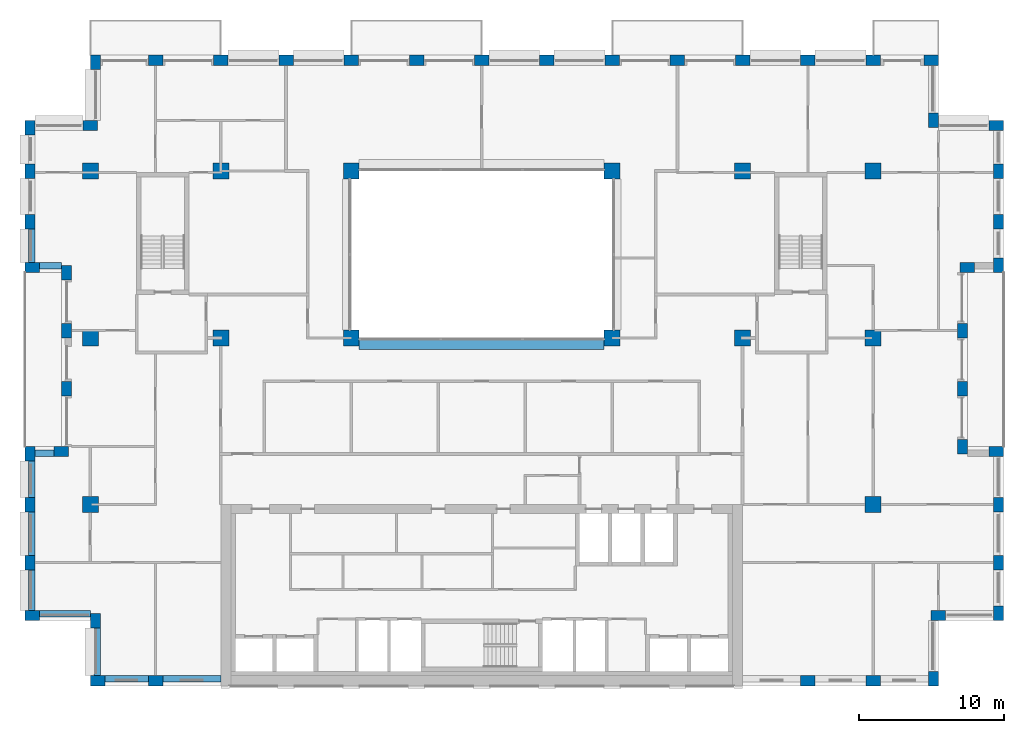
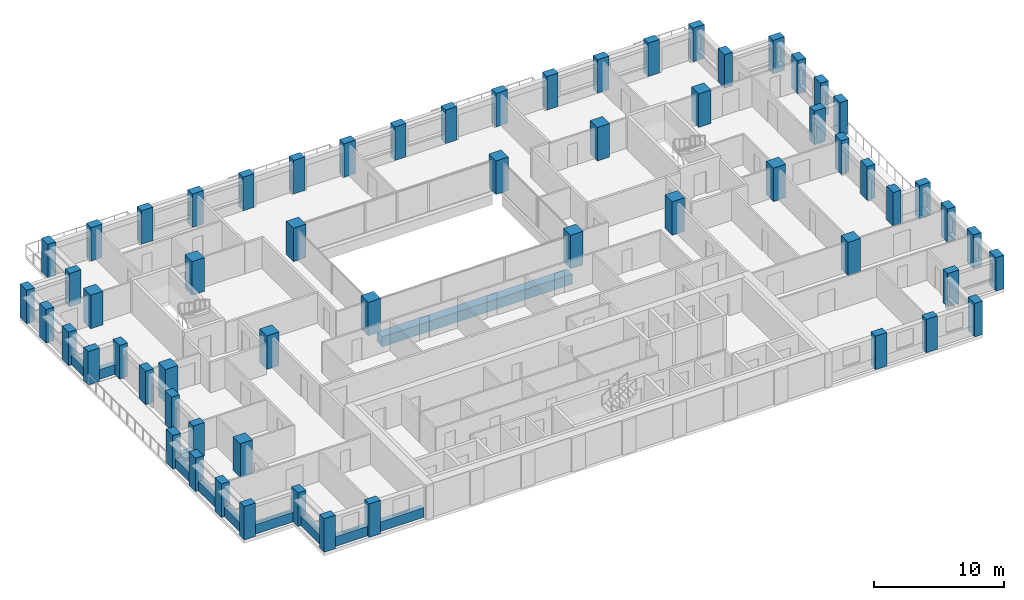
# One storey, part 1 of 16: 61 columns, 11 beams.
"""IFC4 building model written with IfcOpenShell, lengths in metres."""

import ifcopenshell
import ifcopenshell.guid

model = None  # the IFC model being written
_history = None  # IfcOwnerHistory: only IFC2X3 demands one
_inside = {}  # id of a spatial element -> (the spatial element, [elements in it])
_under = {}  # id of a project, library or spatial element -> (it, [spatial elements below it])
_declared = {}  # id of a project -> (the project, [libraries it declares])
_typed = {}  # id of a type object -> (the type object, [elements of that type])
_made_of = {}  # id of a material, layer set ... -> (it, [elements and type objects made of it])


def new_model(schema):
    """Start an empty IFC model of exactly this schema.

    Asked for "IFC4X3", IfcOpenShell would pick the latest addendum, in which some entities
    have other attributes; the version numbers below select the first issue.
    IFC2X3 requires an IfcOwnerHistory on every rooted entity: one is made here for all.
    """
    global model, _history
    if schema == "IFC4X3":
        model = ifcopenshell.file(schema_version=(4, 3, 0, 0))
    else:
        model = ifcopenshell.file(schema=schema)
    _inside.clear()
    _under.clear()
    _declared.clear()
    _typed.clear()
    _made_of.clear()
    _history = None
    if model.schema == "IFC2X3":
        org = make("IfcOrganization", Name="unknown")
        user = make(
            "IfcPersonAndOrganization",
            ThePerson=make("IfcPerson", FamilyName="unknown"),
            TheOrganization=org,
        )
        app = make(
            "IfcApplication",
            ApplicationDeveloper=org,
            Version="unknown",
            ApplicationFullName="unknown",
            ApplicationIdentifier="unknown",
        )
        _history = make(
            "IfcOwnerHistory",
            OwningUser=user,
            OwningApplication=app,
            ChangeAction="ADDED",
            CreationDate=0,
        )
    return model


def make(cls, **values):
    """One entity of the class cls with the attributes given. An attribute that is None is left unset."""
    return model.create_entity(
        cls, **{name: value for name, value in values.items() if value is not None}
    )


def rooted(cls, **values):
    """An entity with a GlobalId (a new one), such as an element, a storey or a relation."""
    return make(cls, GlobalId=ifcopenshell.guid.new(), OwnerHistory=_history, **values)


def si_unit(unit_type, name, prefix=None):
    """IfcSIUnit, for example si_unit("LENGTHUNIT", "METRE", prefix="MILLI")."""
    return make("IfcSIUnit", UnitType=unit_type, Prefix=prefix, Name=name)


def assignment(units):
    """IfcUnitAssignment: the units of a project."""
    return None if units is None else make("IfcUnitAssignment", Units=units)


def point(xyz):
    """IfcCartesianPoint."""
    return None if xyz is None else make("IfcCartesianPoint", Coordinates=xyz)


def direction(xyz):
    """IfcDirection."""
    return None if xyz is None else make("IfcDirection", DirectionRatios=xyz)


def frame(location, z_axis=None, x_axis=None):
    """IfcAxis2Placement3D, a coordinate frame: its origin and axes. An axis left out is left unset."""
    return make(
        "IfcAxis2Placement3D",
        Location=point(location),
        Axis=direction(z_axis),
        RefDirection=direction(x_axis),
    )


def frame_2d(location, x_axis=None):
    """IfcAxis2Placement2D, a coordinate frame in the plane: its origin and x axis."""
    return make(
        "IfcAxis2Placement2D", Location=point(location), RefDirection=direction(x_axis)
    )


def origin():
    """The frame at (0, 0, 0) with its axes left unset."""
    return frame((0.0, 0.0, 0.0))


def origin_2d():
    """The frame at (0, 0) in the plane with its x axis left unset."""
    return frame_2d((0.0, 0.0))


def place(relative_to, where):
    """IfcLocalPlacement: puts the frame where relative to a parent placement (None: the world)."""
    return make(
        "IfcLocalPlacement", PlacementRelTo=relative_to, RelativePlacement=where
    )


def context(
    kind, dimensions, precision=None, world=None, true_north=None, identifier=None
):
    """IfcGeometricRepresentationContext, for example the 3D "Model" context."""
    return make(
        "IfcGeometricRepresentationContext",
        ContextIdentifier=identifier,
        ContextType=kind,
        CoordinateSpaceDimension=dimensions,
        Precision=precision,
        WorldCoordinateSystem=world,
        TrueNorth=true_north,
    )


def subcontext(parent, identifier, kind, view, scale=None):
    """IfcGeometricRepresentationSubContext, for example "Body" below "Model"."""
    return make(
        "IfcGeometricRepresentationSubContext",
        ContextIdentifier=identifier,
        ContextType=kind,
        ParentContext=parent,
        TargetScale=scale,
        TargetView=view,
    )


def project(units=None, contexts=None):
    """IfcProject with its units and contexts."""
    return rooted(
        "IfcProject",
        Name="project",
        RepresentationContexts=contexts,
        UnitsInContext=assignment(units),
    )


def spatial(cls, under=None, at=None, **own):
    """A site, building, storey or space (cls), placed at a placement, below another one or the project."""
    s = rooted(cls, ObjectPlacement=at, **own)
    if under is not None:
        _under.setdefault(under.id(), (under, []))[1].append(s)
    return s


def profile(cls, at=None, kind="AREA", **sizes):
    """A parametric profile (cls). Its sizes go by their IFC names, for example OverallWidth=200.0."""
    return make(cls, ProfileType=kind, Position=at, **sizes)


def rectangle(**sizes):
    """IfcRectangleProfileDef."""
    return profile("IfcRectangleProfileDef", **sizes)


def extrude(swept, where, along, depth):
    """IfcExtrudedAreaSolid: the profile swept, set in the frame where, extruded along a direction by depth."""
    return make(
        "IfcExtrudedAreaSolid",
        SweptArea=swept,
        Position=where,
        ExtrudedDirection=direction(along),
        Depth=depth,
    )


def shape(context_of_items, identifier, shape_type, items):
    """IfcShapeRepresentation: the items that make up one representation, for example the "Body"."""
    return make(
        "IfcShapeRepresentation",
        ContextOfItems=context_of_items,
        RepresentationIdentifier=identifier,
        RepresentationType=shape_type,
        Items=items,
    )


def material(Name=None, Category=None):
    """IfcMaterial."""
    return make("IfcMaterial", Name=Name, Category=Category)


def material_profile(
    of_material, cross_section, Name=None, Category=None, Priority=None
):
    """IfcMaterialProfile: a cross section and its material."""
    return make(
        "IfcMaterialProfile",
        Name=Name,
        Material=of_material,
        Profile=cross_section,
        Priority=Priority,
        Category=Category,
    )


def profile_set(profiles, Name=None, composite=None):
    """IfcMaterialProfileSet."""
    return make(
        "IfcMaterialProfileSet",
        Name=Name,
        MaterialProfiles=profiles,
        CompositeProfile=composite,
    )


def made_of(thing, what):
    """Note that an element or type object is made of a material, layer set ...; save() writes the relation."""
    if what is not None:
        _made_of.setdefault(what.id(), (what, []))[1].append(thing)
    return thing


def type_object(cls, material=None, **own):
    """A type object (cls), such as IfcWallType, which elements share."""
    return made_of(rooted(cls, **own), material)


def element(
    cls,
    number,
    at=None,
    inside=None,
    cuts=None,
    type_object=None,
    material=None,
    context=None,
    identifier="Body",
    shape_type=None,
    held_by="IfcProductDefinitionShape",
    body=None,
    shapes=None,
    **own,
):
    """One element of the class cls, such as IfcWall. Its Tag is "e" and its number.

    at: its placement. inside: the storey or other place that contains it. cuts: it is an
    opening in that element (IfcRelVoidsElement). A single representation is given by context,
    identifier, shape_type and body (its items); several are given by shapes. held_by: the class
    of the entity that holds the representations. save() writes the other relations.
    """
    e = rooted(cls, Tag="e%d" % number, ObjectPlacement=at, **own)
    if body is not None:
        shapes = [shape(context, identifier, shape_type, body)]
    if shapes is not None:
        e.Representation = make(held_by, Representations=shapes)
    if inside is not None:
        _inside.setdefault(inside.id(), (inside, []))[1].append(e)
    if cuts is not None:
        rooted(
            "IfcRelVoidsElement", RelatingBuildingElement=cuts, RelatedOpeningElement=e
        )
    if type_object is not None:
        _typed.setdefault(type_object.id(), (type_object, []))[1].append(e)
    return made_of(e, material)


def aggregate(whole, parts):
    """IfcRelAggregates: a whole, such as a stair, and the parts it consists of."""
    return rooted("IfcRelAggregates", RelatingObject=whole, RelatedObjects=parts)


def save(model, path):
    """Write the relations noted so far, then the file.

    IfcRelAggregates (storeys below a building ...), IfcRelContainedInSpatialStructure (elements
    in a storey), IfcRelDefinesByType, IfcRelAssociatesMaterial and IfcRelDeclares: one each for
    every whole, place, type object, material and project.
    """
    for whole, parts in _under.values():
        aggregate(whole, parts)
    for where, things in _inside.values():
        rooted(
            "IfcRelContainedInSpatialStructure",
            RelatedElements=things,
            RelatingStructure=where,
        )
    for kind, things in _typed.values():
        rooted("IfcRelDefinesByType", RelatedObjects=things, RelatingType=kind)
    for what, things in _made_of.values():
        rooted("IfcRelAssociatesMaterial", RelatedObjects=things, RelatingMaterial=what)
    for by, libraries in _declared.values():
        rooted("IfcRelDeclares", RelatingContext=by, RelatedDefinitions=libraries)
    model.write(path)


model = new_model("IFC4")

# Units and contexts
model_context = context("Model", 3, precision=1e-05, world=origin(), true_north=direction((0.0, 1.0)))
body_context = subcontext(model_context, "Body", "Model", "MODEL_VIEW")
ifc_project = project(units=[si_unit("LENGTHUNIT", "METRE"), si_unit("AREAUNIT", "SQUARE_METRE"), si_unit("VOLUMEUNIT", "CUBIC_METRE"), si_unit("PLANEANGLEUNIT", "RADIAN"), si_unit("MASSUNIT", "GRAM", prefix="KILO")], contexts=[model_context])

# Site, building, storey
site_placement = place(None, origin())
site = spatial("IfcSite", under=ifc_project, at=site_placement, CompositionType="ELEMENT")
building_placement = place(site_placement, origin())
building = spatial("IfcBuilding", under=site, at=building_placement, Name="Brigalow Station Residences", CompositionType="ELEMENT")
storey_placement = place(building_placement, frame((0.0, 0.0, 160.199951171875)))
storey = spatial("IfcBuildingStorey", under=building, at=storey_placement, Name="L46", CompositionType="ELEMENT", Elevation=160.199951171875)

# Columns
ifc_material_1 = material(Name="Concrete C65", Category="concrete")
ifc_material_profile_1 = material_profile(ifc_material_1, rectangle(XDim=1.10009765625, YDim=1.10009765625, at=origin_2d()), Name="RC1100x1100")
ifc_profile_set_1 = profile_set([ifc_material_profile_1], Name="Concrete C65")
column_type_1 = type_object("IfcColumnType", Name="COLUMN 1100x1100 C65", PredefinedType="COLUMN", material=ifc_profile_set_1)
for number, where, z_axis, x_axis, name in (
    (1, (9.0, 24.0, 0.0), (0.0, 0.0, 1.0), (1.0, 0.0, 0.0), "COLUMN C1 L46"),
    (2, (18.0, 24.0, 0.0), (0.0, 0.0, 1.0), (1.0, 0.0, 0.0), "COLUMN C2 L46"),
    (3, (27.0, 24.0, 0.0), (0.0, 0.0, 1.0), (1.0, 0.0, 0.0), "COLUMN C3 L46"),
    (4, (45.0, 24.0, 0.0), (0.0, 0.0, 1.0), (1.0, 0.0, 0.0), "COLUMN C5 L46"),
    (5, (54.0, 24.0, 0.0), (0.0, 0.0, 1.0), (1.0, 0.0, 0.0), "COLUMN C6 L46"),
    (6, (63.0, 24.0, 0.0), (0.0, 0.0, 1.0), (1.0, 0.0, 0.0), "COLUMN C7 L46"),
    (7, (9.0, 35.5, 0.0), (0.0, 0.0, 1.0), (1.0, 0.0, 0.0), "COLUMN D1 L46"),
    (8, (18.0, 35.5, 0.0), (0.0, 0.0, 1.0), (1.0, 0.0, 0.0), "COLUMN D2 L46"),
    (9, (27.0, 35.5, 0.0), (0.0, 0.0, 1.0), (1.0, 0.0, 0.0), "COLUMN D3 L46"),
    (10, (45.0, 35.5, 0.0), (0.0, 0.0, 1.0), (1.0, 0.0, 0.0), "COLUMN D5 L46"),
    (11, (54.0, 35.5, 0.0), (0.0, 0.0, 1.0), (1.0, 0.0, 0.0), "COLUMN D6 L46"),
    (12, (63.0, 35.5, 0.0), (0.0, 0.0, 1.0), (1.0, 0.0, 0.0), "COLUMN D7 L46"),
    (13, (9.0, 12.5, 0.0), (0.0, 0.0, 1.0), (1.0, 0.0, 0.0), "COLUMN B1 L46"),
    (14, (63.0, 12.5, 0.0), (0.0, 0.0, 1.0), (1.0, 0.0, 0.0), "COLUMN B7 L46"),
):
    element("IfcColumn", number, at=place(storey_placement, frame(where, z_axis=z_axis, x_axis=x_axis)), inside=storey, type_object=column_type_1, Name=name, PredefinedType="COLUMN", context=body_context, shape_type="SweptSolid", body=[
        extrude(rectangle(XDim=1.10009765625, YDim=1.10009765625, at=origin_2d()), origin(), (0.0, 0.0, 1.0), 3.150146484375),
    ])
ifc_material_2 = material(Name="Concrete C65", Category="concrete")
ifc_material_profile_2 = material_profile(ifc_material_2, rectangle(XDim=1.0, YDim=0.699951171875, at=origin_2d()), Name="RC1000x700")
ifc_profile_set_2 = profile_set([ifc_material_profile_2], Name="Concrete C65")
column_type_2 = type_object("IfcColumnType", Name="PIER 1000x700 C65", PredefinedType="USERDEFINED", material=ifc_profile_set_2)
for number, where, z_axis, x_axis, name in (
    (15, (9.5, 0.35009765625, 0.0), (0.0, 0.0, 1.0), (1.0, 0.0, 0.0), "PIER S-1 L46"),
    (16, (13.5, 0.35009765625, 0.0), (0.0, 0.0, 1.0), (1.0, 0.0, 0.0), "PIER S-2 L46"),
    (17, (58.5, 0.35009765625, 0.0), (0.0, 0.0, 1.0), (1.0, 0.0, 0.0), "PIER S-12 L46"),
    (18, (63.0, 0.35009765625, 0.0), (0.0, 0.0, 1.0), (1.0, 0.0, 0.0), "PIER S-13 L46"),
    (19, (67.14990234375, 0.5, 0.0), (0.0, 0.0, 1.0), (0.0, 1.0, 0.0), "PIER SE1-1 L46"),
    (20, (67.5, 4.85009765625, 0.0), (0.0, 0.0, 1.0), (1.0, 0.0, 0.0), "PIER SE2-1 L46"),
    (21, (71.64990234375, 5.0, 0.0), (0.0, 0.0, 1.0), (0.0, 1.0, 0.0), "PIER E1-1 L46"),
    (22, (71.64990234375, 8.5, 0.0), (0.0, 0.0, 1.0), (0.0, 1.0, 0.0), "PIER E1-2 L46"),
    (23, (71.64990234375, 12.5, 0.0), (0.0, 0.0, 1.0), (0.0, 1.0, 0.0), "PIER E1-3 L46"),
    (24, (71.5, 16.14990234375, 0.0), (0.0, 0.0, 1.0), (-1.0, 0.0, 0.0), "PIER EL1-1 L46"),
    (25, (69.14990234375, 16.5, 0.0), (0.0, 0.0, 1.0), (0.0, 1.0, 0.0), "PIER EL2-1 L46"),
    (26, (69.14990234375, 20.5, 0.0), (0.0, 0.0, 1.0), (0.0, 1.0, 0.0), "PIER EL2-2 L46"),
    (27, (69.14990234375, 24.5, 0.0), (0.0, 0.0, 1.0), (0.0, 1.0, 0.0), "PIER EL2-3 L46"),
    (28, (69.5, 28.85009765625, 0.0), (0.0, 0.0, 1.0), (1.0, 0.0, 0.0), "PIER EL3-1 L46"),
    (29, (71.64990234375, 29.0, 0.0), (0.0, 0.0, 1.0), (0.0, 1.0, 0.0), "PIER E2-1 L46"),
    (30, (71.64990234375, 32.0, 0.0), (0.0, 0.0, 1.0), (0.0, 1.0, 0.0), "PIER E2-2 L46"),
    (31, (71.64990234375, 35.5, 0.0), (0.0, 0.0, 1.0), (0.0, 1.0, 0.0), "PIER E2-3 L46"),
    (32, (71.5, 38.64990234375, 0.0), (0.0, 0.0, 1.0), (-1.0, 0.0, 0.0), "PIER NE1-1 L46"),
    (33, (67.14990234375, 39.0, 0.0), (0.0, 0.0, 1.0), (0.0, 1.0, 0.0), "PIER NE2-1 L46"),
    (34, (67.0, 43.14990234375, 0.0), (0.0, 0.0, 1.0), (-1.0, 0.0, 0.0), "PIER N-1 L46"),
    (35, (63.0, 43.14990234375, 0.0), (0.0, 0.0, 1.0), (-1.0, 0.0, 0.0), "PIER N-2 L46"),
    (36, (58.5, 43.14990234375, 0.0), (0.0, 0.0, 1.0), (-1.0, 0.0, 0.0), "PIER N-3 L46"),
    (37, (54.0, 43.14990234375, 0.0), (0.0, 0.0, 1.0), (-1.0, 0.0, 0.0), "PIER N-4 L46"),
    (38, (49.5, 43.14990234375, 0.0), (0.0, 0.0, 1.0), (-1.0, 0.0, 0.0), "PIER N-5 L46"),
    (39, (45.0, 43.14990234375, 0.0), (0.0, 0.0, 1.0), (-1.0, 0.0, 0.0), "PIER N-6 L46"),
    (40, (40.5, 43.14990234375, 0.0), (0.0, 0.0, 1.0), (-1.0, 0.0, 0.0), "PIER N-7 L46"),
    (41, (36.0, 43.14990234375, 0.0), (0.0, 0.0, 1.0), (-1.0, 0.0, 0.0), "PIER N-8 L46"),
    (42, (31.5, 43.14990234375, 0.0), (0.0, 0.0, 1.0), (-1.0, 0.0, 0.0), "PIER N-9 L46"),
    (43, (27.0, 43.14990234375, 0.0), (0.0, 0.0, 1.0), (-1.0, 0.0, 0.0), "PIER N-10 L46"),
    (44, (22.5, 43.14990234375, 0.0), (0.0, 0.0, 1.0), (-1.0, 0.0, 0.0), "PIER N-11 L46"),
    (45, (18.0, 43.14990234375, 0.0), (0.0, 0.0, 1.0), (-1.0, 0.0, 0.0), "PIER N-12 L46"),
    (46, (13.5, 43.14990234375, 0.0), (0.0, 0.0, 1.0), (-1.0, 0.0, 0.0), "PIER N-13 L46"),
    (47, (9.35009765625, 43.0, 0.0), (0.0, 0.0, 1.0), (0.0, -1.0, 0.0), "PIER NW1-1 L46"),
    (48, (9.0, 38.64990234375, 0.0), (0.0, 0.0, 1.0), (-1.0, 0.0, 0.0), "PIER NW2-1 L46"),
    (49, (4.85009765625, 38.5, 0.0), (0.0, 0.0, 1.0), (0.0, -1.0, 0.0), "PIER W2-1 L46"),
    (50, (4.85009765625, 35.5, 0.0), (0.0, 0.0, 1.0), (0.0, -1.0, 0.0), "PIER W2-2 L46"),
    (51, (4.85009765625, 32.0, 0.0), (0.0, 0.0, 1.0), (0.0, -1.0, 0.0), "PIER W2-3 L46"),
    (52, (5.0, 28.85009765625, 0.0), (0.0, 0.0, 1.0), (1.0, 0.0, 0.0), "PIER WL1-1 L46"),
    (53, (7.35009765625, 28.5, 0.0), (0.0, 0.0, 1.0), (0.0, -1.0, 0.0), "PIER WL2-1 L46"),
    (54, (7.35009765625, 24.5, 0.0), (0.0, 0.0, 1.0), (0.0, -1.0, 0.0), "PIER WL2-2 L46"),
    (55, (7.35009765625, 20.5, 0.0), (0.0, 0.0, 1.0), (0.0, -1.0, 0.0), "PIER WL2-3 L46"),
    (56, (7.0, 16.14990234375, 0.0), (0.0, 0.0, 1.0), (-1.0, 0.0, 0.0), "PIER WL3-1 L46"),
    (57, (4.85009765625, 16.0, 0.0), (0.0, 0.0, 1.0), (0.0, -1.0, 0.0), "PIER W1-1 L46"),
    (58, (4.85009765625, 12.5, 0.0), (0.0, 0.0, 1.0), (0.0, -1.0, 0.0), "PIER W1-2 L46"),
    (59, (4.85009765625, 8.5, 0.0), (0.0, 0.0, 1.0), (0.0, -1.0, 0.0), "PIER W1-3 L46"),
    (60, (5.0, 4.85009765625, 0.0), (0.0, 0.0, 1.0), (1.0, 0.0, 0.0), "PIER SW1-1 L46"),
    (61, (9.35009765625, 4.5, 0.0), (0.0, 0.0, 1.0), (0.0, -1.0, 0.0), "PIER SW2-1 L46"),
):
    element("IfcColumn", number, at=place(storey_placement, frame(where, z_axis=z_axis, x_axis=x_axis)), inside=storey, type_object=column_type_2, Name=name, ObjectType="PIER", PredefinedType="USERDEFINED", context=body_context, shape_type="SweptSolid", body=[
        extrude(rectangle(XDim=1.0, YDim=0.699951171875, at=origin_2d()), origin(), (0.0, 0.0, 1.0), 3.150146484375),
    ])

# Beams
ifc_material_3 = material(Name="Concrete C65", Category="concrete")
ifc_material_profile_3 = material_profile(ifc_material_3, rectangle(XDim=0.800048828125, YDim=0.949951171875, at=origin_2d()), Name="RC800x950")
ifc_profile_set_3 = profile_set([ifc_material_profile_3], Name="Concrete C65")
beam_type_1 = type_object("IfcBeamType", Name="ATRIUM EDGE GIRDER OVER 13.5 M SPAN 800x950 C65", PredefinedType="BEAM", material=ifc_profile_set_3)
beam_1_placement = place(storey_placement, frame((27.550048828125, 23.60009765625, -0.794921875), z_axis=(1.0, 0.0, 0.0), x_axis=(0.0, 1.0, 0.0)))
element("IfcBeam", 62, at=beam_1_placement, inside=storey, type_object=beam_type_1, Name="ATRIUM EDGE GIRDER C L46", PredefinedType="BEAM", context=body_context, shape_type="SweptSolid", body=[
    extrude(rectangle(XDim=0.800048828125, YDim=0.949951171875, at=origin_2d()), origin(), (0.0, 0.0, 1.0), 16.89990234375),
])
ifc_material_4 = material(Name="Concrete C50", Category="concrete")
ifc_material_profile_4 = material_profile(ifc_material_4, rectangle(XDim=0.449951171875, YDim=0.89990234375, at=origin_2d()), Name="RC450x900")
ifc_profile_set_4 = profile_set([ifc_material_profile_4], Name="Concrete C50")
beam_type_2 = type_object("IfcBeamType", Name="SPANDREL BEAM 450x900 C50", PredefinedType="SPANDREL", material=ifc_profile_set_4)
beam_2_placement = place(storey_placement, frame((10.0, 0.47509765625, 0.449951171875), z_axis=(1.0, 0.0, 0.0), x_axis=(0.0, 1.0, 0.0)))
element("IfcBeam", 63, at=beam_2_placement, inside=storey, type_object=beam_type_2, Name="L46/spandrel/W-L46-1", PredefinedType="SPANDREL", context=body_context, shape_type="SweptSolid", body=[
    extrude(rectangle(XDim=0.449951171875, YDim=0.89990234375, at=origin_2d()), origin(), (0.0, 0.0, 1.0), 3.0),
])
beam_3_placement = place(storey_placement, frame((14.0, 0.47509765625, 0.449951171875), z_axis=(1.0, 0.0, 0.0), x_axis=(0.0, 1.0, 0.0)))
element("IfcBeam", 64, at=beam_3_placement, inside=storey, type_object=beam_type_2, Name="L46/spandrel/W-L46-2", PredefinedType="SPANDREL", context=body_context, shape_type="SweptSolid", body=[
    extrude(rectangle(XDim=0.449951171875, YDim=0.89990234375, at=origin_2d()), origin(), (0.0, 0.0, 1.0), 4.0),
])
beam_4_placement = place(storey_placement, frame((4.97509765625, 31.5, 0.449951171875), z_axis=(0.0, -1.0, 0.0), x_axis=(1.0, 0.0, 0.0)))
element("IfcBeam", 65, at=beam_4_placement, inside=storey, type_object=beam_type_2, Name="L46/spandrel/W-L46-39", PredefinedType="SPANDREL", context=body_context, shape_type="SweptSolid", body=[
    extrude(rectangle(XDim=0.449951171875, YDim=0.89990234375, at=origin_2d()), origin(), (0.0, 0.0, 1.0), 2.300048828125),
])
beam_5_placement = place(storey_placement, frame((5.5, 28.97509765625, 0.449951171875), z_axis=(1.0, 0.0, 0.0), x_axis=(0.0, 1.0, 0.0)))
element("IfcBeam", 66, at=beam_5_placement, inside=storey, type_object=beam_type_2, Name="L46/spandrel/W-L46-40", PredefinedType="SPANDREL", context=body_context, shape_type="SweptSolid", body=[
    extrude(rectangle(XDim=0.449951171875, YDim=0.89990234375, at=origin_2d()), origin(), (0.0, 0.0, 1.0), 1.5),
])
beam_6_placement = place(storey_placement, frame((6.5, 16.02490234375, 0.449951171875), z_axis=(-1.0, 0.0, 0.0), x_axis=(0.0, -1.0, 0.0)))
element("IfcBeam", 67, at=beam_6_placement, inside=storey, type_object=beam_type_2, Name="L46/spandrel/W-L46-44", PredefinedType="SPANDREL", context=body_context, shape_type="SweptSolid", body=[
    extrude(rectangle(XDim=0.449951171875, YDim=0.89990234375, at=origin_2d()), origin(), (0.0, 0.0, 1.0), 1.300048828125),
])
beam_7_placement = place(storey_placement, frame((4.97509765625, 15.5, 0.449951171875), z_axis=(0.0, -1.0, 0.0), x_axis=(1.0, 0.0, 0.0)))
element("IfcBeam", 68, at=beam_7_placement, inside=storey, type_object=beam_type_2, Name="L46/spandrel/W-L46-45", PredefinedType="SPANDREL", context=body_context, shape_type="SweptSolid", body=[
    extrude(rectangle(XDim=0.449951171875, YDim=0.89990234375, at=origin_2d()), origin(), (0.0, 0.0, 1.0), 2.5),
])
beam_8_placement = place(storey_placement, frame((4.97509765625, 12.0, 0.449951171875), z_axis=(0.0, -1.0, 0.0), x_axis=(1.0, 0.0, 0.0)))
element("IfcBeam", 69, at=beam_8_placement, inside=storey, type_object=beam_type_2, Name="L46/spandrel/W-L46-46", PredefinedType="SPANDREL", context=body_context, shape_type="SweptSolid", body=[
    extrude(rectangle(XDim=0.449951171875, YDim=0.89990234375, at=origin_2d()), origin(), (0.0, 0.0, 1.0), 3.0),
])
beam_9_placement = place(storey_placement, frame((4.97509765625, 8.0, 0.449951171875), z_axis=(0.0, -1.0, 0.0), x_axis=(1.0, 0.0, 0.0)))
element("IfcBeam", 70, at=beam_9_placement, inside=storey, type_object=beam_type_2, Name="L46/spandrel/W-L46-47", PredefinedType="SPANDREL", context=body_context, shape_type="SweptSolid", body=[
    extrude(rectangle(XDim=0.449951171875, YDim=0.89990234375, at=origin_2d()), origin(), (0.0, 0.0, 1.0), 2.800048828125),
])
beam_10_placement = place(storey_placement, frame((5.5, 4.97509765625, 0.449951171875), z_axis=(1.0, 0.0, 0.0), x_axis=(0.0, 1.0, 0.0)))
element("IfcBeam", 71, at=beam_10_placement, inside=storey, type_object=beam_type_2, Name="L46/spandrel/W-L46-48", PredefinedType="SPANDREL", context=body_context, shape_type="SweptSolid", body=[
    extrude(rectangle(XDim=0.449951171875, YDim=0.89990234375, at=origin_2d()), origin(), (0.0, 0.0, 1.0), 3.5),
])
beam_11_placement = place(storey_placement, frame((9.47509765625, 4.0, 0.449951171875), z_axis=(0.0, -1.0, 0.0), x_axis=(1.0, 0.0, 0.0)))
element("IfcBeam", 72, at=beam_11_placement, inside=storey, type_object=beam_type_2, Name="L46/spandrel/W-L46-49", PredefinedType="SPANDREL", context=body_context, shape_type="SweptSolid", body=[
    extrude(rectangle(XDim=0.449951171875, YDim=0.89990234375, at=origin_2d()), origin(), (0.0, 0.0, 1.0), 3.300048828125),
])

save(model, "model.ifc")
